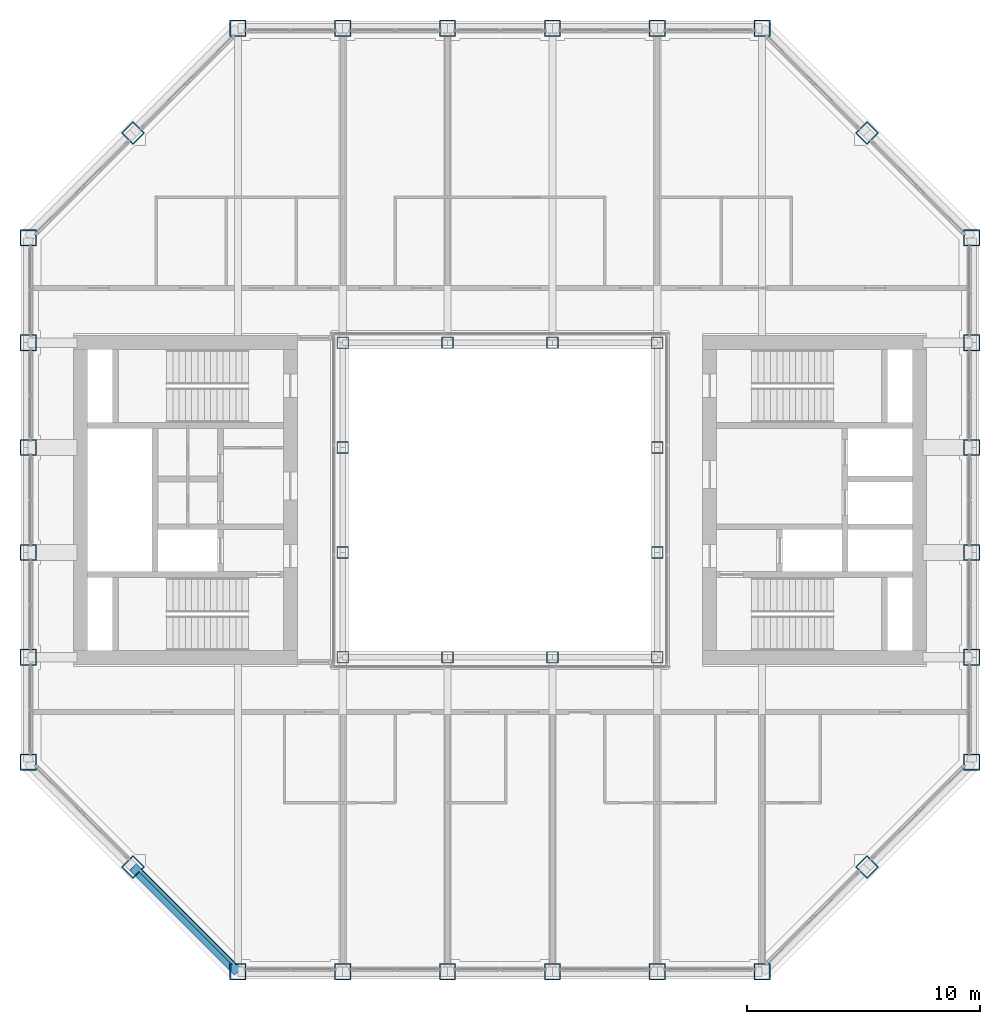
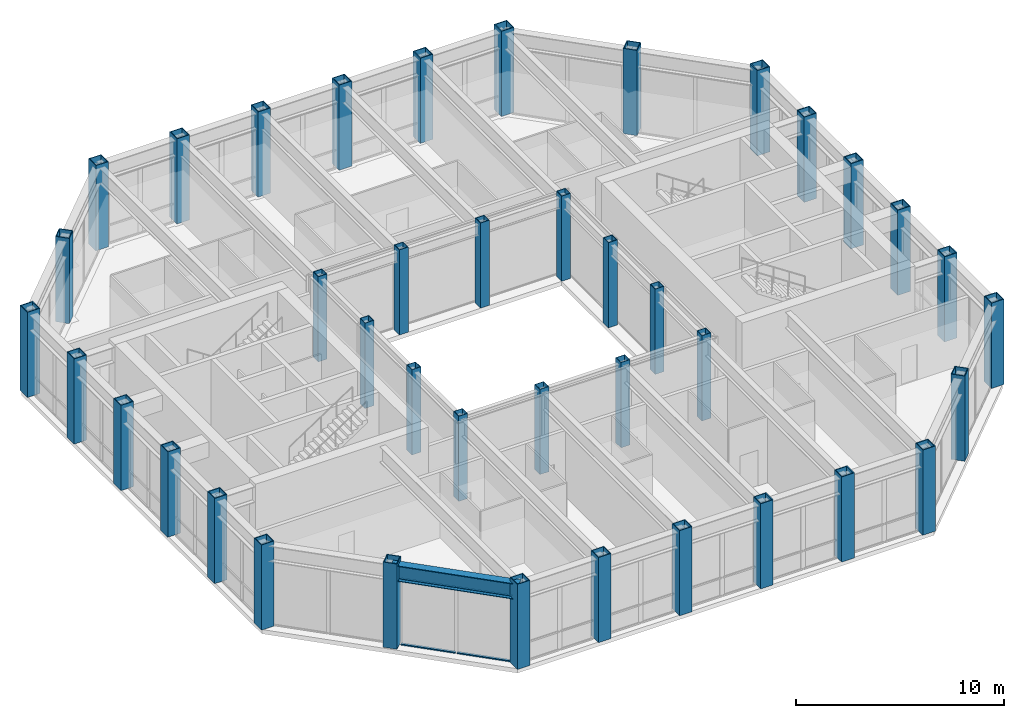
# One storey, part 1 of 15: 40 columns, 4 members, 1 beam, 1 element without a shape of its own.
"""IFC4 building model written with IfcOpenShell, lengths in metres."""

from ifc_helpers import new_model, si_unit, direction, frame, origin, origin_2d, place, context, subcontext, project, spatial, rectangle, hollow_rectangle, i_section, extrude, material, material_profile, profile_set, type_object, element, aggregate, save


model = new_model("IFC4")

# Units and contexts
model_context = context("Model", 3, precision=1e-05, world=origin(), true_north=direction((0.0, 1.0)))
body_context = subcontext(model_context, "Body", "Model", "MODEL_VIEW")
ifc_project = project(units=[si_unit("LENGTHUNIT", "METRE"), si_unit("AREAUNIT", "SQUARE_METRE"), si_unit("VOLUMEUNIT", "CUBIC_METRE"), si_unit("PLANEANGLEUNIT", "RADIAN"), si_unit("MASSUNIT", "GRAM", prefix="KILO")], contexts=[model_context])

# Site, building, storey
site_placement = place(None, origin())
site = spatial("IfcSite", under=ifc_project, at=site_placement, CompositionType="ELEMENT")
building_placement = place(site_placement, origin())
building = spatial("IfcBuilding", under=site, at=building_placement, Name="Msasa Ring Tower", CompositionType="ELEMENT")
storey_placement = place(building_placement, frame((0.0, 0.0, 195.800048828125)))
storey = spatial("IfcBuildingStorey", under=building, at=storey_placement, Name="L51", CompositionType="ELEMENT", Elevation=195.800048828125)

# Columns
ifc_material_1 = material(Name="Steel S355", Category="steel")
ifc_material_profile_1 = material_profile(ifc_material_1, hollow_rectangle(XDim=0.5, YDim=0.5, WallThickness=0.030029296875, at=origin_2d()), Name="BOX 500x500x30")
ifc_profile_set_1 = profile_set([ifc_material_profile_1], Name="Steel S355")
column_type_1 = type_object("IfcColumnType", Name="IC6 BOX 500x500x30", PredefinedType="COLUMN", material=ifc_profile_set_1)
for number, where, z_axis, x_axis, name in (
    (1, (-6.75, -6.75, 0.0), (0.0, 0.0, 1.0), (1.0, 0.0, 0.0), "Inner ring column IR-6.75-6.75 L51"),
    (2, (-6.75, -2.25, 0.0), (0.0, 0.0, 1.0), (1.0, 0.0, 0.0), "Inner ring column IR-6.75-2.25 L51"),
    (3, (-6.75, 2.25, 0.0), (0.0, 0.0, 1.0), (1.0, 0.0, 0.0), "Inner ring column IR-6.75+2.25 L51"),
    (4, (-6.75, 6.75, 0.0), (0.0, 0.0, 1.0), (1.0, 0.0, 0.0), "Inner ring column IR-6.75+6.75 L51"),
    (5, (-2.25, -6.75, 0.0), (0.0, 0.0, 1.0), (1.0, 0.0, 0.0), "Inner ring column IR-2.25-6.75 L51"),
    (6, (-2.25, 6.75, 0.0), (0.0, 0.0, 1.0), (1.0, 0.0, 0.0), "Inner ring column IR-2.25+6.75 L51"),
    (7, (2.25, -6.75, 0.0), (0.0, 0.0, 1.0), (1.0, 0.0, 0.0), "Inner ring column IR+2.25-6.75 L51"),
    (8, (2.25, 6.75, 0.0), (0.0, 0.0, 1.0), (1.0, 0.0, 0.0), "Inner ring column IR+2.25+6.75 L51"),
    (9, (6.75, -6.75, 0.0), (0.0, 0.0, 1.0), (1.0, 0.0, 0.0), "Inner ring column IR+6.75-6.75 L51"),
    (10, (6.75, -2.25, 0.0), (0.0, 0.0, 1.0), (1.0, 0.0, 0.0), "Inner ring column IR+6.75-2.25 L51"),
    (11, (6.75, 2.25, 0.0), (0.0, 0.0, 1.0), (1.0, 0.0, 0.0), "Inner ring column IR+6.75+2.25 L51"),
    (12, (6.75, 6.75, 0.0), (0.0, 0.0, 1.0), (1.0, 0.0, 0.0), "Inner ring column IR+6.75+6.75 L51"),
):
    element("IfcColumn", number, at=place(storey_placement, frame(where, z_axis=z_axis, x_axis=x_axis)), inside=storey, type_object=column_type_1, Name=name, PredefinedType="COLUMN", context=body_context, shape_type="SweptSolid", body=[
        extrude(hollow_rectangle(XDim=0.5, YDim=0.5, WallThickness=0.030029296875, at=origin_2d()), origin(), (0.0, 0.0, 1.0), 5.0),
    ])
ifc_material_2 = material(Name="Steel S355", Category="steel")
ifc_material_profile_2 = material_profile(ifc_material_2, hollow_rectangle(XDim=0.699951171875, YDim=0.699951171875, WallThickness=0.044921875, at=origin_2d()), Name="BOX 700x700x45")
ifc_profile_set_2 = profile_set([ifc_material_profile_2], Name="Steel S355")
column_type_2 = type_object("IfcColumnType", Name="TC6 BOX 700x700x45", PredefinedType="COLUMN", material=ifc_profile_set_2)
for number, where, z_axis, x_axis, name in (
    (13, (-11.25, -20.25, 0.0), (0.0, 0.0, 1.0), (0.0, 1.0, 0.0), "Tube column S-11.25 L51"),
    (14, (-11.25, 20.25, 0.0), (0.0, 0.0, 1.0), (0.0, 1.0, 0.0), "Tube column N-11.25 L51"),
    (15, (20.25, -11.25, 0.0), (0.0, 0.0, 1.0), (1.0, 0.0, 0.0), "Tube column E-11.25 L51"),
    (16, (-20.25, -11.25, 0.0), (0.0, 0.0, 1.0), (1.0, 0.0, 0.0), "Tube column W-11.25 L51"),
    (17, (-6.75, -20.25, 0.0), (0.0, 0.0, 1.0), (0.0, 1.0, 0.0), "Tube column S-6.75 L51"),
    (18, (-6.75, 20.25, 0.0), (0.0, 0.0, 1.0), (0.0, 1.0, 0.0), "Tube column N-6.75 L51"),
    (19, (20.25, -6.75, 0.0), (0.0, 0.0, 1.0), (1.0, 0.0, 0.0), "Tube column E-6.75 L51"),
    (20, (-20.25, -6.75, 0.0), (0.0, 0.0, 1.0), (1.0, 0.0, 0.0), "Tube column W-6.75 L51"),
    (21, (-2.25, -20.25, 0.0), (0.0, 0.0, 1.0), (0.0, 1.0, 0.0), "Tube column S-2.25 L51"),
    (22, (-2.25, 20.25, 0.0), (0.0, 0.0, 1.0), (0.0, 1.0, 0.0), "Tube column N-2.25 L51"),
    (23, (20.25, -2.25, 0.0), (0.0, 0.0, 1.0), (1.0, 0.0, 0.0), "Tube column E-2.25 L51"),
    (24, (-20.25, -2.25, 0.0), (0.0, 0.0, 1.0), (1.0, 0.0, 0.0), "Tube column W-2.25 L51"),
    (25, (2.25, -20.25, 0.0), (0.0, 0.0, 1.0), (0.0, 1.0, 0.0), "Tube column S+2.25 L51"),
    (26, (2.25, 20.25, 0.0), (0.0, 0.0, 1.0), (0.0, 1.0, 0.0), "Tube column N+2.25 L51"),
    (27, (20.25, 2.25, 0.0), (0.0, 0.0, 1.0), (1.0, 0.0, 0.0), "Tube column E+2.25 L51"),
    (28, (-20.25, 2.25, 0.0), (0.0, 0.0, 1.0), (1.0, 0.0, 0.0), "Tube column W+2.25 L51"),
    (29, (6.75, -20.25, 0.0), (0.0, 0.0, 1.0), (0.0, 1.0, 0.0), "Tube column S+6.75 L51"),
    (30, (6.75, 20.25, 0.0), (0.0, 0.0, 1.0), (0.0, 1.0, 0.0), "Tube column N+6.75 L51"),
    (31, (20.25, 6.75, 0.0), (0.0, 0.0, 1.0), (1.0, 0.0, 0.0), "Tube column E+6.75 L51"),
    (32, (-20.25, 6.75, 0.0), (0.0, 0.0, 1.0), (1.0, 0.0, 0.0), "Tube column W+6.75 L51"),
    (33, (11.25, -20.25, 0.0), (0.0, 0.0, 1.0), (0.0, 1.0, 0.0), "Tube column S+11.25 L51"),
    (34, (11.25, 20.25, 0.0), (0.0, 0.0, 1.0), (0.0, 1.0, 0.0), "Tube column N+11.25 L51"),
    (35, (20.25, 11.25, 0.0), (0.0, 0.0, 1.0), (1.0, 0.0, 0.0), "Tube column E+11.25 L51"),
    (36, (-20.25, 11.25, 0.0), (0.0, 0.0, 1.0), (1.0, 0.0, 0.0), "Tube column W+11.25 L51"),
    (37, (15.75, -15.75, 0.0), (0.0, 0.0, 1.0), (0.707106781187, -0.707106781187, 0.0), "Tube column SE L51"),
    (38, (15.75, 15.75, 0.0), (0.0, 0.0, 1.0), (0.707106781187, 0.707106781187, 0.0), "Tube column NE L51"),
    (39, (-15.75, 15.75, 0.0), (0.0, 0.0, 1.0), (0.707106781187, -0.707106781187, 0.0), "Tube column NW L51"),
    (40, (-15.75, -15.75, 0.0), (0.0, 0.0, 1.0), (0.707106781187, 0.707106781187, 0.0), "Tube column SW L51"),
):
    element("IfcColumn", number, at=place(storey_placement, frame(where, z_axis=z_axis, x_axis=x_axis)), inside=storey, type_object=column_type_2, Name=name, PredefinedType="COLUMN", context=body_context, shape_type="SweptSolid", body=[
        extrude(hollow_rectangle(XDim=0.699951171875, YDim=0.699951171875, WallThickness=0.044921875, at=origin_2d()), origin(), (0.0, 0.0, 1.0), 5.0),
    ])

# Curtain wall, members
ifc_material_3 = material(Name="Aluminium curtain wall with clear glass", Category="aluminium")
curtain_wall_type = type_object("IfcCurtainWallType", Name="CW-C CHAMFER CORNER CURTAIN WALL", PredefinedType="NOTDEFINED", material=ifc_material_3)
curtain_wall_placement = place(storey_placement, origin())
curtain_wall = element("IfcCurtainWall", 41, at=curtain_wall_placement, inside=storey, type_object=curtain_wall_type, Name="Chamfer corner curtain wall SW L51", PredefinedType="NOTDEFINED")
ifc_material_4 = material(Name="Aluminium transom", Category="aluminium")
ifc_material_profile_3 = material_profile(ifc_material_4, rectangle(XDim=0.139892578125, YDim=0.06494140625, at=origin_2d()), Name="AL 65x140")
ifc_profile_set_3 = profile_set([ifc_material_profile_3], Name="Aluminium transom")
member_type = type_object("IfcMemberType", Name="CW-C TRANSOM 65x140", PredefinedType="USERDEFINED", material=ifc_profile_set_3)
member_1_placement = place(storey_placement, frame((-15.38232421875, -15.976318359375, 0.032470703125), z_axis=(0.707106781187, -0.707106781187, 0.0), x_axis=(0.707106781187, 0.707106781187, 0.0)))
member_1 = element("IfcMember", 42, at=member_1_placement, type_object=member_type, Name="CW-C transom 1.1", ObjectType="TRANSOM", PredefinedType="USERDEFINED", context=body_context, shape_type="SweptSolid", body=[
    extrude(rectangle(XDim=0.139892578125, YDim=0.06494140625, at=origin_2d()), origin(), (0.0, 0.0, 1.0), 2.729248046875),
])
member_2_placement = place(storey_placement, frame((-15.38232421875, -15.976318359375, 3.846435546875), z_axis=(0.707106781187, -0.707106781187, 0.0), x_axis=(0.707106781187, 0.707106781187, 0.0)))
member_2 = element("IfcMember", 43, at=member_2_placement, type_object=member_type, Name="CW-C transom 1.2", ObjectType="TRANSOM", PredefinedType="USERDEFINED", context=body_context, shape_type="SweptSolid", body=[
    extrude(rectangle(XDim=0.139892578125, YDim=0.06494140625, at=origin_2d()), origin(), (0.0, 0.0, 1.0), 2.729248046875),
])
member_3_placement = place(storey_placement, frame((-13.40625, -17.952392578125, 0.032470703125), z_axis=(0.707106781187, -0.707106781187, 0.0), x_axis=(0.707106781187, 0.707106781187, 0.0)))
member_3 = element("IfcMember", 44, at=member_3_placement, type_object=member_type, Name="CW-C transom 2.1", ObjectType="TRANSOM", PredefinedType="USERDEFINED", context=body_context, shape_type="SweptSolid", body=[
    extrude(rectangle(XDim=0.139892578125, YDim=0.06494140625, at=origin_2d()), origin(), (0.0, 0.0, 1.0), 2.729248046875),
])
member_4_placement = place(storey_placement, frame((-13.40625, -17.952392578125, 3.846435546875), z_axis=(0.707106781187, -0.707106781187, 0.0), x_axis=(0.707106781187, 0.707106781187, 0.0)))
member_4 = element("IfcMember", 45, at=member_4_placement, type_object=member_type, Name="CW-C transom 2.2", ObjectType="TRANSOM", PredefinedType="USERDEFINED", context=body_context, shape_type="SweptSolid", body=[
    extrude(rectangle(XDim=0.139892578125, YDim=0.06494140625, at=origin_2d()), origin(), (0.0, 0.0, 1.0), 2.729248046875),
])
aggregate(curtain_wall, [member_1, member_2, member_3, member_4])

# Beam
ifc_material_5 = material(Name="Steel S355", Category="steel")
ifc_material_profile_4 = material_profile(ifc_material_5, i_section(OverallWidth=0.42041015625, OverallDepth=0.9208984375, WebThickness=0.021484375, FlangeThickness=0.03662109375, FilletRadius=0.024169921875, at=origin_2d()), Name="UB 914x419x388")
ifc_profile_set_4 = profile_set([ifc_material_profile_4], Name="Steel S355")
beam_type = type_object("IfcBeamType", Name="SB1 UB 914x419x388", PredefinedType="SPANDREL", material=ifc_profile_set_4)
beam_placement = place(storey_placement, frame((-15.75, -15.75, 4.33935546875), z_axis=(0.707106781187, -0.707106781187, 0.0), x_axis=(0.707106781187, 0.707106781187, 0.0)))
element("IfcBeam", 46, at=beam_placement, inside=storey, type_object=beam_type, Name="Spandrel SW to S-11.25 under L52", PredefinedType="SPANDREL", context=body_context, shape_type="SweptSolid", body=[
    extrude(i_section(OverallWidth=0.42041015625, OverallDepth=0.9208984375, WebThickness=0.021484375, FlangeThickness=0.03662109375, FilletRadius=0.024169921875, at=origin_2d()), origin(), (0.0, 0.0, 1.0), 6.364013671875),
])

save(model, "model.ifc")
